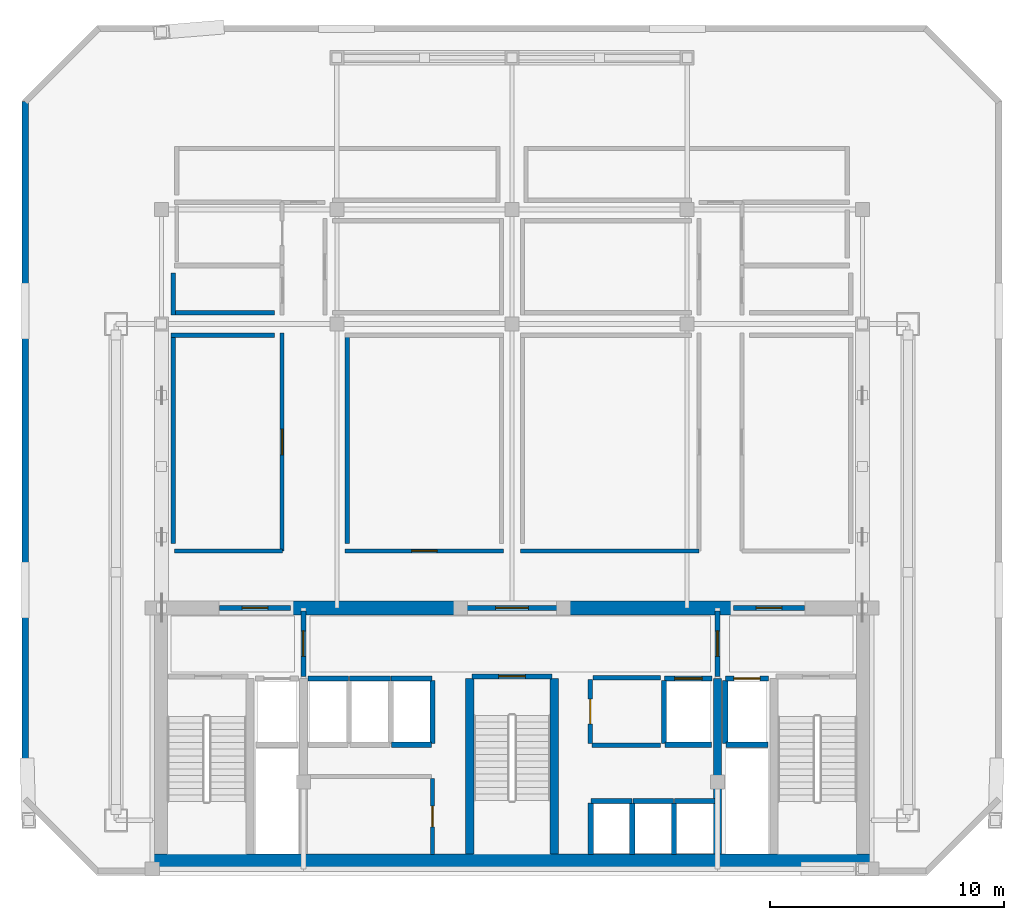
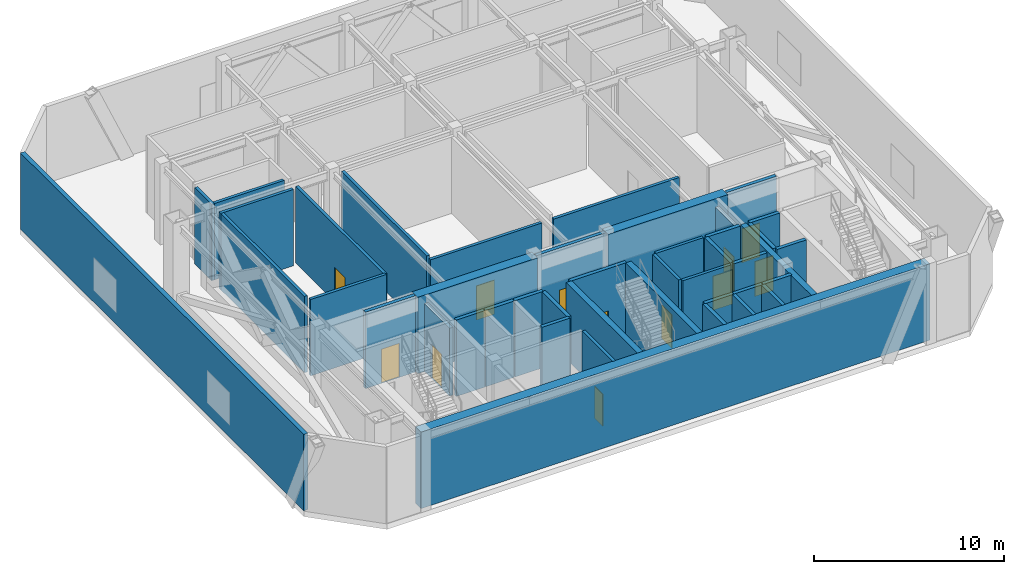
# One storey, part 3 of 7: 43 walls, 12 doors, 12 openings.
"""IFC4 building model written with IfcOpenShell, lengths in metres."""

from ifc_helpers import new_model, si_unit, direction, frame, frame_2d, origin, place, context, subcontext, project, spatial, rectangle, extrude, material, layer, layer_set, type_object, element, fill, save


model = new_model("IFC4")

# Units and contexts
model_context = context("Model", 3, precision=1e-05, world=origin(), true_north=direction((0.0, 1.0)))
body_context = subcontext(model_context, "Body", "Model", "MODEL_VIEW")
ifc_project = project(units=[si_unit("LENGTHUNIT", "METRE"), si_unit("AREAUNIT", "SQUARE_METRE"), si_unit("VOLUMEUNIT", "CUBIC_METRE"), si_unit("PLANEANGLEUNIT", "RADIAN"), si_unit("MASSUNIT", "GRAM", prefix="KILO")], contexts=[model_context])

# Site, building, storey
site_placement = place(None, origin())
site = spatial("IfcSite", under=ifc_project, at=site_placement, CompositionType="ELEMENT")
building_placement = place(site_placement, origin())
building = spatial("IfcBuilding", under=site, at=building_placement, Name="Ventersveld Concourse Tower", CompositionType="ELEMENT")
storey_placement = place(building_placement, frame((0.0, 0.0, 246.5)))
storey = spatial("IfcBuildingStorey", under=building, at=storey_placement, Name="L61", CompositionType="ELEMENT", Elevation=246.5)

# Walls
ifc_material_1 = material(Name="Concrete C50/60", Category="concrete")
ifc_layer_1 = layer(ifc_material_1, 0.35009765625)
ifc_layer_set_1 = layer_set([ifc_layer_1], Name="Concrete C50/60")
wall_type_1 = type_object("IfcWallType", Name="WL-CORE-350U", PredefinedType="SHEAR", material=ifc_layer_set_1)
for number, where, z_axis, x_axis, name in (
    (1, (26.93994140625, 0.919921875, 0.0), (0.0, 0.0, 1.0), (0.0, 1.0, 0.0), "L61 Core Internal Shear Web W-ST3-W"),
    (2, (30.56005859375, 0.919921875, 0.0), (0.0, 0.0, 1.0), (0.0, 1.0, 0.0), "L61 Core Internal Shear Web W-ST3-E"),
    (3, (37.550048828125, 0.919921875, 0.0), (0.0, 0.0, 1.0), (0.0, 1.0, 0.0), "L61 Core Internal Shear Web W-SVL-W"),
):
    element("IfcWall", number, at=place(storey_placement, frame(where, z_axis=z_axis, x_axis=x_axis)), inside=storey, type_object=wall_type_1, Name=name, PredefinedType="SHEAR", context=body_context, shape_type="SweptSolid", body=[
        extrude(rectangle(XDim=7.5, YDim=0.35009765625, at=frame_2d((3.75, 0.0))), origin(), (0.0, 0.0, 1.0), 4.919921875),
    ])
ifc_layer_2 = layer(ifc_material_1, 0.60009765625)
ifc_layer_set_2 = layer_set([ifc_layer_2], Name="Concrete C50/60")
wall_type_2 = type_object("IfcWallType", Name="WL-CORE-600", PredefinedType="SHEAR", material=ifc_layer_set_2)
wall_1_placement = place(storey_placement, frame((13.25, 0.6201171875, 0.0), z_axis=(0.0, 0.0, 1.0), x_axis=(1.0, 0.0, 0.0)))
element("IfcWall", 4, at=wall_1_placement, inside=storey, type_object=wall_type_2, Name="L61 Rear Core South Shear Wall", PredefinedType="SHEAR", context=body_context, shape_type="SweptSolid", body=[
    extrude(rectangle(XDim=31.0, YDim=0.60009765625, at=frame_2d((15.5, 0.0))), origin(), (0.0, 0.0, 1.0), 4.919921875),
])
for number, where, z_axis, x_axis, name in (
    (5, (19.300048828125, 11.449951171875, 0.0), (0.0, 0.0, 1.0), (1.0, 0.0, 0.0), "L61 Rear Core North Shear Wall NML"),
    (6, (30.89990234375, 11.449951171875, 0.0), (0.0, 0.0, 1.0), (1.0, 0.0, 0.0), "L61 Rear Core North Shear Wall NMR"),
):
    element("IfcWall", number, at=place(storey_placement, frame(where, z_axis=z_axis, x_axis=x_axis)), inside=storey, type_object=wall_type_2, Name=name, PredefinedType="SHEAR", context=body_context, shape_type="SweptSolid", body=[
        extrude(rectangle(XDim=7.300048828125, YDim=0.60009765625, at=frame_2d((3.64990234375, 0.0))), origin(), (0.0, 0.0, 1.0), 4.919921875),
    ])

# Wall, opening, door
ifc_material_2 = material(Name="Fire-rated autoclaved aerated masonry blockwork", Category="masonry")
ifc_layer_3 = layer(ifc_material_2, 0.179931640625)
ifc_layer_set_3 = layer_set([ifc_layer_3], Name="Fire-rated autoclaved aerated masonry blockwork")
wall_type_3 = type_object("IfcWallType", Name="WL-CORR-180", PredefinedType="PARTITIONING", material=ifc_layer_set_3)
wall_2_placement = place(storey_placement, frame((25.35009765625, 0.89990234375, 0.0), z_axis=(0.0, 0.0, 1.0), x_axis=(0.0, 1.0, 0.0)))
wall_2 = element("IfcWall", 7, at=wall_2_placement, inside=storey, type_object=wall_type_3, Name="L61 Core Passage Wall SP-L61-RECB1A", PredefinedType="PARTITIONING", context=body_context, shape_type="SweptSolid", body=[
    extrude(rectangle(XDim=3.239990234375, YDim=0.179931640625, at=frame_2d((1.6201171875, 0.0))), origin(), (0.0, 0.0, 1.0), 4.919921875),
])
opening_1_placement = place(wall_2_placement, frame((1.179931640625, 0.0, 0.0)))
opening_1 = element("IfcOpeningElement", 8, at=opening_1_placement, cuts=wall_2, Name="Opening FD5", PredefinedType="OPENING", context=body_context, shape_type="SweptSolid", body=[
    extrude(rectangle(XDim=0.8798828125, YDim=2.050048828125, at=frame_2d((0.43994140625, 1.02490234375))), frame((0.0, 0.10009765625, 0.0), z_axis=(0.0, -1.0, 0.0), x_axis=(1.0, 0.0, 0.0)), (0.0, 0.0, 1.0), 0.199951171875),
])
ifc_material_3 = material(Name="Galvanised painted steel", Category="steel")
door_type_1 = type_object("IfcDoorType", Name="DR-RISER-088", OperationType="NOTDEFINED", PredefinedType="DOOR", material=ifc_material_3)
door_1_placement = place(opening_1_placement, origin())
door_1 = element("IfcDoor", 9, at=door_1_placement, inside=storey, type_object=door_type_1, Name="L61 Core Room Door L61 Reclaimed Core Quiet Study Pod (CD-L61-2919)", OperationType="SINGLE_SWING_RIGHT", OverallHeight=2.050048828125, OverallWidth=0.8798828125, PredefinedType="DOOR", context=body_context, shape_type="SweptSolid", body=[
    extrude(rectangle(XDim=0.8798828125, YDim=2.050048828125, at=frame_2d((0.43994140625, 1.02490234375))), frame((0.0, 0.02490234375, 0.0), z_axis=(0.0, -1.0, 0.0), x_axis=(1.0, 0.0, 0.0)), (0.0, 0.0, 1.0), 0.050048828125),
])
fill(opening_1, door_1)

wall_3_placement = place(storey_placement, frame((32.10009765625, 5.64990234375, 0.0), z_axis=(0.0, 0.0, 1.0), x_axis=(0.0, 1.0, 0.0)))
wall_3 = element("IfcWall", 10, at=wall_3_placement, inside=storey, type_object=wall_type_3, Name="L61 Core Passage Wall SP-L61-CBAY1", PredefinedType="PARTITIONING", context=body_context, shape_type="SweptSolid", body=[
    extrude(rectangle(XDim=2.72998046875, YDim=0.179931640625, at=frame_2d((1.364990234375, 0.0))), origin(), (0.0, 0.0, 1.0), 4.919921875),
])
opening_2_placement = place(wall_3_placement, frame((0.840087890625, 0.0, 0.0)))
opening_2 = element("IfcOpeningElement", 11, at=opening_2_placement, cuts=wall_3, Name="Opening ID3", PredefinedType="OPENING", context=body_context, shape_type="SweptSolid", body=[
    extrude(rectangle(XDim=1.050048828125, YDim=2.14990234375, at=frame_2d((0.52490234375, 1.074951171875))), frame((0.0, 0.10009765625, 0.0), z_axis=(0.0, -1.0, 0.0), x_axis=(1.0, 0.0, 0.0)), (0.0, 0.0, 1.0), 0.199951171875),
])
ifc_material_4 = material(Name="Solid-core hardwood veneer timber", Category="wood")
door_type_2 = type_object("IfcDoorType", Name="DR-AWC-105", OperationType="NOTDEFINED", PredefinedType="DOOR", material=ifc_material_4)
door_2_placement = place(opening_2_placement, origin())
door_2 = element("IfcDoor", 12, at=door_2_placement, inside=storey, type_object=door_type_2, Name="L61 Core Room Door L61 Core Unisex Accessible WC (CD-L61-2920)", OperationType="SINGLE_SWING_LEFT", OverallHeight=2.14990234375, OverallWidth=1.050048828125, PredefinedType="DOOR", context=body_context, shape_type="SweptSolid", body=[
    extrude(rectangle(XDim=1.050048828125, YDim=2.14990234375, at=frame_2d((0.52490234375, 1.074951171875))), frame((0.0, 0.02490234375, 0.0), z_axis=(0.0, -1.0, 0.0), x_axis=(1.0, 0.0, 0.0)), (0.0, 0.0, 1.0), 0.050048828125),
])
fill(opening_2, door_2)

# Walls
wall_4_placement = place(storey_placement, frame((32.219970703125, 8.4599609375, 0.0), z_axis=(0.0, 0.0, 1.0), x_axis=(1.0, 0.0, 0.0)))
element("IfcWall", 13, at=wall_4_placement, inside=storey, type_object=wall_type_3, Name="L61 Core Top Wall SP-L61-CBAY1", PredefinedType="PARTITIONING", context=body_context, shape_type="SweptSolid", body=[
    extrude(rectangle(XDim=2.880126953125, YDim=0.179931640625, at=frame_2d((1.43994140625, 0.0))), origin(), (0.0, 0.0, 1.0), 4.919921875),
])
wall_5_placement = place(storey_placement, frame((32.179931640625, 5.570068359375, 0.0), z_axis=(0.0, 0.0, 1.0), x_axis=(1.0, 0.0, 0.0)))
element("IfcWall", 14, at=wall_5_placement, inside=storey, type_object=wall_type_3, Name="L61 Core Bot Wall SP-L61-CBAY1", PredefinedType="PARTITIONING", context=body_context, shape_type="SweptSolid", body=[
    extrude(rectangle(XDim=2.920166015625, YDim=0.179931640625, at=frame_2d((1.4599609375, 0.0))), origin(), (0.0, 0.0, 1.0), 4.919921875),
])

# Wall, opening, door
wall_6_placement = place(storey_placement, frame((18.909912109375, 13.885009765625, 0.0), z_axis=(0.0, 0.0, 1.0), x_axis=(0.0, 1.0, 0.0)))
wall_6 = element("IfcWall", 15, at=wall_6_placement, inside=storey, type_object=wall_type_3, Name="L61 Interior Partition SP-L61-PCOR-SP-L61-REF-1", PredefinedType="PARTITIONING", context=body_context, shape_type="SweptSolid", body=[
    extrude(rectangle(XDim=9.330078125, YDim=0.179931640625, at=frame_2d((4.6650390625, 0.0))), origin(), (0.0, 0.0, 1.0), 4.919921875),
])
opening_3_placement = place(wall_6_placement, frame((4.114990234375, 0.0, 0.0)))
opening_3 = element("IfcOpeningElement", 16, at=opening_3_placement, cuts=wall_6, Name="Opening FD2", PredefinedType="OPENING", context=body_context, shape_type="SweptSolid", body=[
    extrude(rectangle(XDim=1.10009765625, YDim=2.199951171875, at=frame_2d((0.550048828125, 1.10009765625))), frame((0.0, 0.10009765625, 0.0), z_axis=(0.0, -1.0, 0.0), x_axis=(1.0, 0.0, 0.0)), (0.0, 0.0, 1.0), 0.199951171875),
])
door_type_3 = type_object("IfcDoorType", Name="DR-FFL-110", OperationType="NOTDEFINED", PredefinedType="DOOR", material=ifc_material_3)
door_3_placement = place(opening_3_placement, origin())
door_3 = element("IfcDoor", 17, at=door_3_placement, inside=storey, type_object=door_type_3, Name="L61 Interior Door SP-L61-PCOR to SP-L61-REF-1 (FD-L61-2921)", OperationType="SINGLE_SWING_LEFT", OverallHeight=2.199951171875, OverallWidth=1.10009765625, PredefinedType="DOOR", context=body_context, shape_type="SweptSolid", body=[
    extrude(rectangle(XDim=1.10009765625, YDim=2.199951171875, at=frame_2d((0.550048828125, 1.10009765625))), frame((0.0, 0.02490234375, 0.0), z_axis=(0.0, -1.0, 0.0), x_axis=(1.0, 0.0, 0.0)), (0.0, 0.0, 1.0), 0.050048828125),
])
fill(opening_3, door_3)

# Wall
wall_7_placement = place(storey_placement, frame((14.304931640625, 13.889892578125, 0.0), z_axis=(0.0, 0.0, 1.0), x_axis=(1.0, 0.0, 0.0)))
element("IfcWall", 18, at=wall_7_placement, inside=storey, type_object=wall_type_3, Name="L61 Interior Partition SP-L61-PCOR-SP-L61-REF-1", PredefinedType="PARTITIONING", context=body_context, shape_type="SweptSolid", body=[
    extrude(rectangle(XDim=4.610107421875, YDim=0.179931640625, at=frame_2d((2.30517578125, 0.0))), origin(), (0.0, 0.0, 1.0), 4.919921875),
])

# Wall, opening, door
wall_8_placement = place(storey_placement, frame((21.60498046875, 13.889892578125, 0.0), z_axis=(0.0, 0.0, 1.0), x_axis=(1.0, 0.0, 0.0)))
wall_8 = element("IfcWall", 19, at=wall_8_placement, inside=storey, type_object=wall_type_3, Name="L61 Interior Partition SP-L61-PCOR-SP-L61-REF-2", PredefinedType="PARTITIONING", context=body_context, shape_type="SweptSolid", body=[
    extrude(rectangle(XDim=6.7900390625, YDim=0.179931640625, at=frame_2d((3.39501953125, 0.0))), origin(), (0.0, 0.0, 1.0), 4.919921875),
])
opening_4_placement = place(wall_8_placement, frame((2.844970703125, 0.0, 0.0)))
opening_4 = element("IfcOpeningElement", 20, at=opening_4_placement, cuts=wall_8, Name="Opening FD2", PredefinedType="OPENING", context=body_context, shape_type="SweptSolid", body=[
    extrude(rectangle(XDim=1.10009765625, YDim=2.199951171875, at=frame_2d((0.550048828125, 1.10009765625))), frame((0.0, 0.10009765625, 0.0), z_axis=(0.0, -1.0, 0.0), x_axis=(1.0, 0.0, 0.0)), (0.0, 0.0, 1.0), 0.199951171875),
])
door_4_placement = place(opening_4_placement, origin())
door_4 = element("IfcDoor", 21, at=door_4_placement, inside=storey, type_object=door_type_3, Name="L61 Interior Door SP-L61-PCOR to SP-L61-REF-2 (FD-L61-2922)", OperationType="SINGLE_SWING_RIGHT", OverallHeight=2.199951171875, OverallWidth=1.10009765625, PredefinedType="DOOR", context=body_context, shape_type="SweptSolid", body=[
    extrude(rectangle(XDim=1.10009765625, YDim=2.199951171875, at=frame_2d((0.550048828125, 1.10009765625))), frame((0.0, 0.02490234375, 0.0), z_axis=(0.0, -1.0, 0.0), x_axis=(1.0, 0.0, 0.0)), (0.0, 0.0, 1.0), 0.050048828125),
])
fill(opening_4, door_4)

# Walls
wall_9_placement = place(storey_placement, frame((29.10498046875, 13.889892578125, 0.0), z_axis=(0.0, 0.0, 1.0), x_axis=(1.0, 0.0, 0.0)))
element("IfcWall", 22, at=wall_9_placement, inside=storey, type_object=wall_type_3, Name="L61 Interior Partition SP-L61-PCOR-SP-L61-REF-3", PredefinedType="PARTITIONING", context=body_context, shape_type="SweptSolid", body=[
    extrude(rectangle(XDim=7.659912109375, YDim=0.179931640625, at=frame_2d((3.830078125, 0.0))), origin(), (0.0, 0.0, 1.0), 4.919921875),
])
wall_10_placement = place(storey_placement, frame((18.5849609375, 23.1201171875, 0.0), z_axis=(0.0, 0.0, 1.0), x_axis=(-1.0, 0.0, 0.0)))
element("IfcWall", 23, at=wall_10_placement, inside=storey, type_object=wall_type_3, Name="L61 Room Enclosure Wall SP-L61-REF-1", PredefinedType="PARTITIONING", context=body_context, shape_type="SweptSolid", body=[
    extrude(rectangle(XDim=4.429931640625, YDim=0.179931640625, at=frame_2d((2.21484375, 0.0))), origin(), (0.0, 0.0, 1.0), 4.919921875),
])
wall_11_placement = place(storey_placement, frame((14.25, 23.215087890625, 0.0), z_axis=(0.0, 0.0, 1.0), x_axis=(0.0, -1.0, 0.0)))
element("IfcWall", 24, at=wall_11_placement, inside=storey, type_object=wall_type_3, Name="L61 Room Enclosure Wall SP-L61-REF-1", PredefinedType="PARTITIONING", context=body_context, shape_type="SweptSolid", body=[
    extrude(rectangle(XDim=9.004150390625, YDim=0.179931640625, at=frame_2d((4.501953125, 0.0))), origin(), (0.0, 0.0, 1.0), 4.919921875),
])
wall_12_placement = place(storey_placement, frame((21.699951171875, 23.215087890625, 0.0), z_axis=(0.0, 0.0, 1.0), x_axis=(0.0, -1.0, 0.0)))
element("IfcWall", 25, at=wall_12_placement, inside=storey, type_object=wall_type_3, Name="L61 Room Enclosure Wall SP-L61-REF-2", PredefinedType="PARTITIONING", context=body_context, shape_type="SweptSolid", body=[
    extrude(rectangle(XDim=9.0, YDim=0.179931640625, at=frame_2d((4.5, 0.0))), origin(), (0.0, 0.0, 1.0), 4.919921875),
])
wall_13_placement = place(storey_placement, frame((14.155029296875, 24.080078125, 0.0), z_axis=(0.0, 0.0, 1.0), x_axis=(1.0, 0.0, 0.0)))
element("IfcWall", 26, at=wall_13_placement, inside=storey, type_object=wall_type_3, Name="L61 Room Enclosure Wall SP-L61-REF-9", PredefinedType="PARTITIONING", context=body_context, shape_type="SweptSolid", body=[
    extrude(rectangle(XDim=4.429931640625, YDim=0.179931640625, at=frame_2d((2.21484375, 0.0))), origin(), (0.0, 0.0, 1.0), 4.919921875),
])
wall_14_placement = place(storey_placement, frame((14.25, 25.7890625, 0.0), z_axis=(0.0, 0.0, 1.0), x_axis=(0.0, -1.0, 0.0)))
element("IfcWall", 27, at=wall_14_placement, inside=storey, type_object=wall_type_3, Name="L61 Room Enclosure Wall SP-L61-REF-9", PredefinedType="PARTITIONING", context=body_context, shape_type="SweptSolid", body=[
    extrude(rectangle(XDim=1.803955078125, YDim=0.179931640625, at=frame_2d((0.90185546875, 0.0))), origin(), (0.0, 0.0, 1.0), 4.919921875),
])
ifc_layer_4 = layer(ifc_material_2, 0.219970703125)
ifc_layer_set_4 = layer_set([ifc_layer_4], Name="Fire-rated autoclaved aerated masonry blockwork")
wall_type_4 = type_object("IfcWallType", Name="WL-HOIST-220", PredefinedType="SOLIDWALL", material=ifc_layer_set_4)
wall_15_placement = place(storey_placement, frame((37.919921875, 5.590087890625, 0.0), z_axis=(0.0, 0.0, 1.0), x_axis=(1.0, 0.0, 0.0)))
element("IfcWall", 28, at=wall_15_placement, inside=storey, type_object=wall_type_4, Name="L61 Lift Hoistway Back Wall FFL-02", PredefinedType="SOLIDWALL", context=body_context, shape_type="SweptSolid", body=[
    extrude(rectangle(XDim=1.780029296875, YDim=0.219970703125, at=frame_2d((0.89013671875, 0.0))), origin(), (0.0, 0.0, 1.0), 4.919921875),
])
wall_16_placement = place(storey_placement, frame((37.8798828125, 5.64990234375, 0.0), z_axis=(0.0, 0.0, 1.0), x_axis=(0.0, 1.0, 0.0)))
element("IfcWall", 29, at=wall_16_placement, inside=storey, type_object=wall_type_4, Name="L61 Lift Hoistway Side Wall FFL-02W", PredefinedType="SOLIDWALL", context=body_context, shape_type="SweptSolid", body=[
    extrude(rectangle(XDim=2.7001953125, YDim=0.219970703125, at=frame_2d((1.35009765625, 0.0))), origin(), (0.0, 0.0, 1.0), 4.919921875),
])

# Wall, opening, door
wall_17_placement = place(storey_placement, frame((37.89990234375, 8.429931640625, 0.0), z_axis=(0.0, 0.0, 1.0), x_axis=(1.0, 0.0, 0.0)))
wall_17 = element("IfcWall", 30, at=wall_17_placement, inside=storey, type_object=wall_type_4, Name="L61 Lift Hoistway Front Wall FFL-02", PredefinedType="SOLIDWALL", context=body_context, shape_type="SweptSolid", body=[
    extrude(rectangle(XDim=1.820068359375, YDim=0.219970703125, at=frame_2d((0.91015625, 0.0))), origin(), (0.0, 0.0, 1.0), 4.919921875),
])
opening_5_placement = place(wall_17_placement, frame((0.35009765625, 0.0, 0.0)))
opening_5 = element("IfcOpeningElement", 31, at=opening_5_placement, cuts=wall_17, Name="Opening LD1", PredefinedType="OPENING", context=body_context, shape_type="SweptSolid", body=[
    extrude(rectangle(XDim=1.1201171875, YDim=2.25, at=frame_2d((0.56005859375, 1.125))), frame((0.0, 0.1201171875, 0.0), z_axis=(0.0, -1.0, 0.0), x_axis=(1.0, 0.0, 0.0)), (0.0, 0.0, 1.0), 0.239990234375),
])
ifc_material_5 = material(Name="Brushed stainless steel 316", Category="steel")
door_type_4 = type_object("IfcDoorType", Name="LD-FF-112", OperationType="SLIDING_TO_LEFT", PredefinedType="DOOR", material=ifc_material_5)
door_5_placement = place(opening_5_placement, origin())
door_5 = element("IfcDoor", 32, at=door_5_placement, inside=storey, type_object=door_type_4, Name="L61 Lift landing door FFL-02 (LD-L61-FFL-02)", OperationType="SLIDING_TO_RIGHT", OverallHeight=2.25, OverallWidth=1.1201171875, PredefinedType="DOOR", context=body_context, shape_type="SweptSolid", body=[
    extrude(rectangle(XDim=1.1201171875, YDim=2.25, at=frame_2d((0.56005859375, 1.125))), frame((0.0, 0.02490234375, 0.0), z_axis=(0.0, -1.0, 0.0), x_axis=(1.0, 0.0, 0.0)), (0.0, 0.0, 1.0), 0.050048828125),
])
fill(opening_5, door_5)

# Walls
wall_18_placement = place(storey_placement, frame((35.300048828125, 5.590087890625, 0.0), z_axis=(0.0, 0.0, 1.0), x_axis=(1.0, 0.0, 0.0)))
element("IfcWall", 33, at=wall_18_placement, inside=storey, type_object=wall_type_4, Name="L61 Lift Hoistway Back Wall SVL-01", PredefinedType="SOLIDWALL", context=body_context, shape_type="SweptSolid", body=[
    extrude(rectangle(XDim=2.0, YDim=0.219970703125, at=frame_2d((1.0, 0.0))), origin(), (0.0, 0.0, 1.0), 4.919921875),
])
wall_19_placement = place(storey_placement, frame((35.260009765625, 5.64990234375, 0.0), z_axis=(0.0, 0.0, 1.0), x_axis=(0.0, 1.0, 0.0)))
element("IfcWall", 34, at=wall_19_placement, inside=storey, type_object=wall_type_4, Name="L61 Lift Hoistway Side Wall SVL-01W", PredefinedType="SOLIDWALL", context=body_context, shape_type="SweptSolid", body=[
    extrude(rectangle(XDim=2.7001953125, YDim=0.219970703125, at=frame_2d((1.35009765625, 0.0))), origin(), (0.0, 0.0, 1.0), 4.919921875),
])

# Wall, opening, door
wall_20_placement = place(storey_placement, frame((35.280029296875, 8.429931640625, 0.0), z_axis=(0.0, 0.0, 1.0), x_axis=(1.0, 0.0, 0.0)))
wall_20 = element("IfcWall", 35, at=wall_20_placement, inside=storey, type_object=wall_type_4, Name="L61 Lift Hoistway Front Wall SVL-01", PredefinedType="SOLIDWALL", context=body_context, shape_type="SweptSolid", body=[
    extrude(rectangle(XDim=2.0400390625, YDim=0.219970703125, at=frame_2d((1.02001953125, 0.0))), origin(), (0.0, 0.0, 1.0), 4.919921875),
])
opening_6_placement = place(wall_20_placement, frame((0.429931640625, 0.0, 0.0)))
opening_6 = element("IfcOpeningElement", 36, at=opening_6_placement, cuts=wall_20, Name="Opening LD2", PredefinedType="OPENING", context=body_context, shape_type="SweptSolid", body=[
    extrude(rectangle(XDim=1.179931640625, YDim=2.199951171875, at=frame_2d((0.58984375, 1.10009765625))), frame((0.0, 0.1201171875, 0.0), z_axis=(0.0, -1.0, 0.0), x_axis=(1.0, 0.0, 0.0)), (0.0, 0.0, 1.0), 0.239990234375),
])
door_type_5 = type_object("IfcDoorType", Name="LD-PAX-118", OperationType="SLIDING_TO_LEFT", PredefinedType="DOOR", material=ifc_material_5)
door_6_placement = place(opening_6_placement, origin())
door_6 = element("IfcDoor", 37, at=door_6_placement, inside=storey, type_object=door_type_5, Name="L61 Lift landing door SVL-01 (LD-L61-SVL-01)", OperationType="SLIDING_TO_LEFT", OverallHeight=2.199951171875, OverallWidth=1.179931640625, PredefinedType="DOOR", context=body_context, shape_type="SweptSolid", body=[
    extrude(rectangle(XDim=1.179931640625, YDim=2.199951171875, at=frame_2d((0.58984375, 1.10009765625))), frame((0.0, 0.02490234375, 0.0), z_axis=(0.0, -1.0, 0.0), x_axis=(1.0, 0.0, 0.0)), (0.0, 0.0, 1.0), 0.050048828125),
])
fill(opening_6, door_6)

# Walls
for number, where, z_axis, x_axis, name in (
    (38, (32.1201171875, 0.89990234375, 0.0), (0.0, 0.0, 1.0), (0.0, 1.0, 0.0), "L61 Lift Hoistway Side Wall PM-01W"),
    (39, (33.89990234375, 0.89990234375, 0.0), (0.0, 0.0, 1.0), (0.0, 1.0, 0.0), "L61 Lift Hoistway Side Wall PM-01E"),
):
    element("IfcWall", number, at=place(storey_placement, frame(where, z_axis=z_axis, x_axis=x_axis)), inside=storey, type_object=wall_type_4, Name=name, PredefinedType="SOLIDWALL", context=body_context, shape_type="SweptSolid", body=[
        extrude(rectangle(XDim=2.2001953125, YDim=0.219970703125, at=frame_2d((1.10009765625, 0.0))), origin(), (0.0, 0.0, 1.0), 4.919921875),
    ])
wall_21_placement = place(storey_placement, frame((32.139892578125, 3.179931640625, 0.0), z_axis=(0.0, 0.0, 1.0), x_axis=(1.0, 0.0, 0.0)))
element("IfcWall", 40, at=wall_21_placement, inside=storey, type_object=wall_type_4, Name="L61 Lift Hoistway Front Wall PM-01", PredefinedType="SOLIDWALL", context=body_context, shape_type="SweptSolid", body=[
    extrude(rectangle(XDim=1.739990234375, YDim=0.219970703125, at=frame_2d((0.8701171875, 0.0))), origin(), (0.0, 0.0, 1.0), 4.919921875),
])
wall_22_placement = place(storey_placement, frame((35.679931640625, 0.89990234375, 0.0), z_axis=(0.0, 0.0, 1.0), x_axis=(0.0, 1.0, 0.0)))
element("IfcWall", 41, at=wall_22_placement, inside=storey, type_object=wall_type_4, Name="L61 Lift Hoistway Side Wall PM-02E", PredefinedType="SOLIDWALL", context=body_context, shape_type="SweptSolid", body=[
    extrude(rectangle(XDim=2.2001953125, YDim=0.219970703125, at=frame_2d((1.10009765625, 0.0))), origin(), (0.0, 0.0, 1.0), 4.919921875),
])
for number, where, z_axis, x_axis, name in (
    (42, (33.919921875, 3.179931640625, 0.0), (0.0, 0.0, 1.0), (1.0, 0.0, 0.0), "L61 Lift Hoistway Front Wall PM-02"),
    (43, (35.699951171875, 3.179931640625, 0.0), (0.0, 0.0, 1.0), (1.0, 0.0, 0.0), "L61 Lift Hoistway Front Wall PM-03"),
    (44, (20.02001953125, 8.429931640625, 0.0), (0.0, 0.0, 1.0), (1.0, 0.0, 0.0), "L61 Lift Hoistway Front Wall PH-01"),
    (45, (21.800048828125, 8.429931640625, 0.0), (0.0, 0.0, 1.0), (1.0, 0.0, 0.0), "L61 Lift Hoistway Front Wall PH-02"),
):
    element("IfcWall", number, at=place(storey_placement, frame(where, z_axis=z_axis, x_axis=x_axis)), inside=storey, type_object=wall_type_4, Name=name, PredefinedType="SOLIDWALL", context=body_context, shape_type="SweptSolid", body=[
        extrude(rectangle(XDim=1.739990234375, YDim=0.219970703125, at=frame_2d((0.8701171875, 0.0))), origin(), (0.0, 0.0, 1.0), 4.919921875),
    ])
wall_23_placement = place(storey_placement, frame((23.60009765625, 5.590087890625, 0.0), z_axis=(0.0, 0.0, 1.0), x_axis=(1.0, 0.0, 0.0)))
element("IfcWall", 46, at=wall_23_placement, inside=storey, type_object=wall_type_4, Name="L61 Lift Hoistway Back Wall PH-03", PredefinedType="SOLIDWALL", context=body_context, shape_type="SweptSolid", body=[
    extrude(rectangle(XDim=1.699951171875, YDim=0.219970703125, at=frame_2d((0.85009765625, 0.0))), origin(), (0.0, 0.0, 1.0), 4.919921875),
])
wall_24_placement = place(storey_placement, frame((25.340087890625, 5.64990234375, 0.0), z_axis=(0.0, 0.0, 1.0), x_axis=(0.0, 1.0, 0.0)))
element("IfcWall", 47, at=wall_24_placement, inside=storey, type_object=wall_type_4, Name="L61 Lift Hoistway Side Wall PH-03E", PredefinedType="SOLIDWALL", context=body_context, shape_type="SweptSolid", body=[
    extrude(rectangle(XDim=2.7001953125, YDim=0.219970703125, at=frame_2d((1.35009765625, 0.0))), origin(), (0.0, 0.0, 1.0), 4.919921875),
])
wall_25_placement = place(storey_placement, frame((23.580078125, 8.429931640625, 0.0), z_axis=(0.0, 0.0, 1.0), x_axis=(1.0, 0.0, 0.0)))
element("IfcWall", 48, at=wall_25_placement, inside=storey, type_object=wall_type_4, Name="L61 Lift Hoistway Front Wall PH-03", PredefinedType="SOLIDWALL", context=body_context, shape_type="SweptSolid", body=[
    extrude(rectangle(XDim=1.739990234375, YDim=0.219970703125, at=frame_2d((0.8701171875, 0.0))), origin(), (0.0, 0.0, 1.0), 4.919921875),
])

# Wall, opening, door
wall_26_placement = place(storey_placement, frame((27.0400390625, 8.52001953125, 0.0), z_axis=(0.0, 0.0, 1.0), x_axis=(1.0, 0.0, 0.0)))
wall_26 = element("IfcWall", 49, at=wall_26_placement, inside=storey, type_object=wall_type_4, Name="L61 Escape Stair ST03 Fire Wall", PredefinedType="SOLIDWALL", context=body_context, shape_type="SweptSolid", body=[
    extrude(rectangle(XDim=3.419921875, YDim=0.219970703125, at=frame_2d((1.7099609375, 0.0))), origin(), (0.0, 0.0, 1.0), 4.919921875),
])
opening_7_placement = place(wall_26_placement, frame((1.135009765625, 0.0, 0.0)))
opening_7 = element("IfcOpeningElement", 50, at=opening_7_placement, cuts=wall_26, Name="Opening FD1", PredefinedType="OPENING", context=body_context, shape_type="SweptSolid", body=[
    extrude(rectangle(XDim=1.14990234375, YDim=2.199951171875, at=frame_2d((0.574951171875, 1.10009765625))), frame((0.0, 0.1201171875, 0.0), z_axis=(0.0, -1.0, 0.0), x_axis=(1.0, 0.0, 0.0)), (0.0, 0.0, 1.0), 0.239990234375),
])
door_type_6 = type_object("IfcDoorType", Name="DR-STAIR-115", OperationType="NOTDEFINED", PredefinedType="DOOR", material=ifc_material_3)
door_7_placement = place(opening_7_placement, origin())
door_7 = element("IfcDoor", 51, at=door_7_placement, inside=storey, type_object=door_type_6, Name="L61 Escape Stair Door ST03 (SD-L61-2913)", OperationType="SINGLE_SWING_LEFT", OverallHeight=2.199951171875, OverallWidth=1.14990234375, PredefinedType="DOOR", context=body_context, shape_type="SweptSolid", body=[
    extrude(rectangle(XDim=1.14990234375, YDim=2.199951171875, at=frame_2d((0.574951171875, 1.10009765625))), frame((0.0, 0.02490234375, 0.0), z_axis=(0.0, -1.0, 0.0), x_axis=(1.0, 0.0, 0.0)), (0.0, 0.0, 1.0), 0.050048828125),
])
fill(opening_7, door_7)

wall_27_placement = place(storey_placement, frame((19.820068359375, 8.52001953125, 0.0), z_axis=(0.0, 0.0, 1.0), x_axis=(0.0, 1.0, 0.0)))
wall_27 = element("IfcWall", 52, at=wall_27_placement, inside=storey, type_object=wall_type_4, Name="L61 Firefighting Lobby Smoke-Stop Wall FFLW-SEP", PredefinedType="SOLIDWALL", context=body_context, shape_type="SweptSolid", body=[
    extrude(rectangle(XDim=2.800048828125, YDim=0.219970703125, at=frame_2d((1.39990234375, 0.0))), origin(), (0.0, 0.0, 1.0), 4.37548828125),
])
opening_8_placement = place(wall_27_placement, frame((0.85009765625, 0.0, 0.0)))
opening_8 = element("IfcOpeningElement", 53, at=opening_8_placement, cuts=wall_27, Name="Opening FD2", PredefinedType="OPENING", context=body_context, shape_type="SweptSolid", body=[
    extrude(rectangle(XDim=1.10009765625, YDim=2.199951171875, at=frame_2d((0.550048828125, 1.10009765625))), frame((0.0, 0.1201171875, 0.0), z_axis=(0.0, -1.0, 0.0), x_axis=(1.0, 0.0, 0.0)), (0.0, 0.0, 1.0), 0.239990234375),
])
door_8_placement = place(opening_8_placement, origin())
door_8 = element("IfcDoor", 54, at=door_8_placement, inside=storey, type_object=door_type_3, Name="L61 Firefighting Lobby Door FFLW-SEP (FD-L61-2914)", OperationType="SINGLE_SWING_LEFT", OverallHeight=2.199951171875, OverallWidth=1.10009765625, PredefinedType="DOOR", context=body_context, shape_type="SweptSolid", body=[
    extrude(rectangle(XDim=1.10009765625, YDim=2.199951171875, at=frame_2d((0.550048828125, 1.10009765625))), frame((0.0, 0.02490234375, 0.0), z_axis=(0.0, -1.0, 0.0), x_axis=(1.0, 0.0, 0.0)), (0.0, 0.0, 1.0), 0.050048828125),
])
fill(opening_8, door_8)

wall_28_placement = place(storey_placement, frame((37.550048828125, 8.52001953125, 0.0), z_axis=(0.0, 0.0, 1.0), x_axis=(0.0, 1.0, 0.0)))
wall_28 = element("IfcWall", 55, at=wall_28_placement, inside=storey, type_object=wall_type_4, Name="L61 Firefighting Lobby Smoke-Stop Wall FFLE-SEP", PredefinedType="SOLIDWALL", context=body_context, shape_type="SweptSolid", body=[
    extrude(rectangle(XDim=2.800048828125, YDim=0.219970703125, at=frame_2d((1.39990234375, 0.0))), origin(), (0.0, 0.0, 1.0), 4.37548828125),
])
opening_9_placement = place(wall_28_placement, frame((0.85009765625, 0.0, 0.0)))
opening_9 = element("IfcOpeningElement", 56, at=opening_9_placement, cuts=wall_28, Name="Opening FD2", PredefinedType="OPENING", context=body_context, shape_type="SweptSolid", body=[
    extrude(rectangle(XDim=1.10009765625, YDim=2.199951171875, at=frame_2d((0.550048828125, 1.10009765625))), frame((0.0, 0.1201171875, 0.0), z_axis=(0.0, -1.0, 0.0), x_axis=(1.0, 0.0, 0.0)), (0.0, 0.0, 1.0), 0.239990234375),
])
door_9_placement = place(opening_9_placement, origin())
door_9 = element("IfcDoor", 57, at=door_9_placement, inside=storey, type_object=door_type_3, Name="L61 Firefighting Lobby Door FFLE-SEP (FD-L61-2915)", OperationType="SINGLE_SWING_RIGHT", OverallHeight=2.199951171875, OverallWidth=1.10009765625, PredefinedType="DOOR", context=body_context, shape_type="SweptSolid", body=[
    extrude(rectangle(XDim=1.10009765625, YDim=2.199951171875, at=frame_2d((0.550048828125, 1.10009765625))), frame((0.0, 0.02490234375, 0.0), z_axis=(0.0, -1.0, 0.0), x_axis=(1.0, 0.0, 0.0)), (0.0, 0.0, 1.0), 0.050048828125),
])
fill(opening_9, door_9)

wall_29_placement = place(storey_placement, frame((16.22998046875, 11.449951171875, 0.0), z_axis=(0.0, 0.0, 1.0), x_axis=(1.0, 0.0, 0.0)))
wall_29 = element("IfcWall", 58, at=wall_29_placement, inside=storey, type_object=wall_type_4, Name="L61 Core North Fire Portal FFLW-OUT", PredefinedType="SOLIDWALL", context=body_context, shape_type="SweptSolid", body=[
    extrude(rectangle(XDim=3.0400390625, YDim=0.219970703125, at=frame_2d((1.52001953125, 0.0))), origin(), (0.0, 0.0, 1.0), 4.919921875),
])
opening_10_placement = place(wall_29_placement, frame((0.969970703125, 0.0, 0.0)))
opening_10 = element("IfcOpeningElement", 59, at=opening_10_placement, cuts=wall_29, Name="Opening FD2", PredefinedType="OPENING", context=body_context, shape_type="SweptSolid", body=[
    extrude(rectangle(XDim=1.10009765625, YDim=2.199951171875, at=frame_2d((0.550048828125, 1.10009765625))), frame((0.0, 0.1201171875, 0.0), z_axis=(0.0, -1.0, 0.0), x_axis=(1.0, 0.0, 0.0)), (0.0, 0.0, 1.0), 0.239990234375),
])
door_10_placement = place(opening_10_placement, origin())
door_10 = element("IfcDoor", 60, at=door_10_placement, inside=storey, type_object=door_type_3, Name="L61 Refuge Area Entry Door (FD-L61-2916)", OperationType="SINGLE_SWING_RIGHT", OverallHeight=2.199951171875, OverallWidth=1.10009765625, PredefinedType="DOOR", context=body_context, shape_type="SweptSolid", body=[
    extrude(rectangle(XDim=1.10009765625, YDim=2.199951171875, at=frame_2d((0.550048828125, 1.10009765625))), frame((0.0, 0.02490234375, 0.0), z_axis=(0.0, -1.0, 0.0), x_axis=(1.0, 0.0, 0.0)), (0.0, 0.0, 1.0), 0.050048828125),
])
fill(opening_10, door_10)

wall_30_placement = place(storey_placement, frame((26.6298828125, 11.449951171875, 0.0), z_axis=(0.0, 0.0, 1.0), x_axis=(1.0, 0.0, 0.0)))
wall_30 = element("IfcWall", 61, at=wall_30_placement, inside=storey, type_object=wall_type_4, Name="L61 Core North Fire Portal PLOB-OUT", PredefinedType="SOLIDWALL", context=body_context, shape_type="SweptSolid", body=[
    extrude(rectangle(XDim=4.240234375, YDim=0.219970703125, at=frame_2d((2.1201171875, 0.0))), origin(), (0.0, 0.0, 1.0), 4.919921875),
])
opening_11_placement = place(wall_30_placement, frame((1.419921875, 0.0, 0.0)))
opening_11 = element("IfcOpeningElement", 62, at=opening_11_placement, cuts=wall_30, Name="Opening FD4", PredefinedType="OPENING", context=body_context, shape_type="SweptSolid", body=[
    extrude(rectangle(XDim=1.39990234375, YDim=2.199951171875, at=frame_2d((0.699951171875, 1.10009765625))), frame((0.0, 0.1201171875, 0.0), z_axis=(0.0, -1.0, 0.0), x_axis=(1.0, 0.0, 0.0)), (0.0, 0.0, 1.0), 0.239990234375),
])
door_type_7 = type_object("IfcDoorType", Name="DR-PLANT-140", OperationType="DOUBLE_DOOR_SINGLE_SWING", PredefinedType="DOOR", material=ifc_material_3)
door_11_placement = place(opening_11_placement, origin())
door_11 = element("IfcDoor", 63, at=door_11_placement, inside=storey, type_object=door_type_7, Name="L61 Core Lobby Fire Door PLOB-OUT (FD-L61-2917)", OperationType="DOUBLE_DOOR_SINGLE_SWING", OverallHeight=2.199951171875, OverallWidth=1.39990234375, PredefinedType="DOOR", context=body_context, shape_type="SweptSolid", body=[
    extrude(rectangle(XDim=1.39990234375, YDim=2.199951171875, at=frame_2d((0.699951171875, 1.10009765625))), frame((0.0, 0.02490234375, 0.0), z_axis=(0.0, -1.0, 0.0), x_axis=(1.0, 0.0, 0.0)), (0.0, 0.0, 1.0), 0.050048828125),
])
fill(opening_11, door_11)

wall_31_placement = place(storey_placement, frame((38.22998046875, 11.449951171875, 0.0), z_axis=(0.0, 0.0, 1.0), x_axis=(1.0, 0.0, 0.0)))
wall_31 = element("IfcWall", 64, at=wall_31_placement, inside=storey, type_object=wall_type_4, Name="L61 Core North Fire Portal FFLE-OUT", PredefinedType="SOLIDWALL", context=body_context, shape_type="SweptSolid", body=[
    extrude(rectangle(XDim=3.0400390625, YDim=0.219970703125, at=frame_2d((1.52001953125, 0.0))), origin(), (0.0, 0.0, 1.0), 4.919921875),
])
opening_12_placement = place(wall_31_placement, frame((0.969970703125, 0.0, 0.0)))
opening_12 = element("IfcOpeningElement", 65, at=opening_12_placement, cuts=wall_31, Name="Opening FD2", PredefinedType="OPENING", context=body_context, shape_type="SweptSolid", body=[
    extrude(rectangle(XDim=1.10009765625, YDim=2.199951171875, at=frame_2d((0.550048828125, 1.10009765625))), frame((0.0, 0.1201171875, 0.0), z_axis=(0.0, -1.0, 0.0), x_axis=(1.0, 0.0, 0.0)), (0.0, 0.0, 1.0), 0.239990234375),
])
door_12_placement = place(opening_12_placement, origin())
door_12 = element("IfcDoor", 66, at=door_12_placement, inside=storey, type_object=door_type_3, Name="L61 Refuge Area Entry Door (FD-L61-2918)", OperationType="SINGLE_SWING_LEFT", OverallHeight=2.199951171875, OverallWidth=1.10009765625, PredefinedType="DOOR", context=body_context, shape_type="SweptSolid", body=[
    extrude(rectangle(XDim=1.10009765625, YDim=2.199951171875, at=frame_2d((0.550048828125, 1.10009765625))), frame((0.0, 0.02490234375, 0.0), z_axis=(0.0, -1.0, 0.0), x_axis=(1.0, 0.0, 0.0)), (0.0, 0.0, 1.0), 0.050048828125),
])
fill(opening_12, door_12)

# Wall
ifc_material_6 = material(Name="Precast concrete C45/55", Category="concrete")
ifc_layer_5 = layer(ifc_material_6, 0.260009765625)
ifc_layer_set_5 = layer_set([ifc_layer_5], Name="Precast concrete C45/55")
wall_type_5 = type_object("IfcWallType", Name="WL-PREC-260", PredefinedType="SOLIDWALL", material=ifc_layer_set_5)
wall_32_placement = place(storey_placement, frame((7.914306640625, 33.137451171875, 0.0), z_axis=(0.0, 0.0, 1.0), x_axis=(0.0, -1.0, 0.0)))
element("IfcWall", 67, at=wall_32_placement, inside=storey, type_object=wall_type_5, Name="L61 Highveld Precast Facade Wall E07", PredefinedType="SOLIDWALL", context=body_context, shape_type="SweptSolid", body=[
    extrude(rectangle(XDim=29.8974609375, YDim=0.260009765625, at=frame_2d((14.94873046875, 0.0))), origin(), (0.0, 0.0, 1.0), 4.919921875),
])

save(model, "model.ifc")
